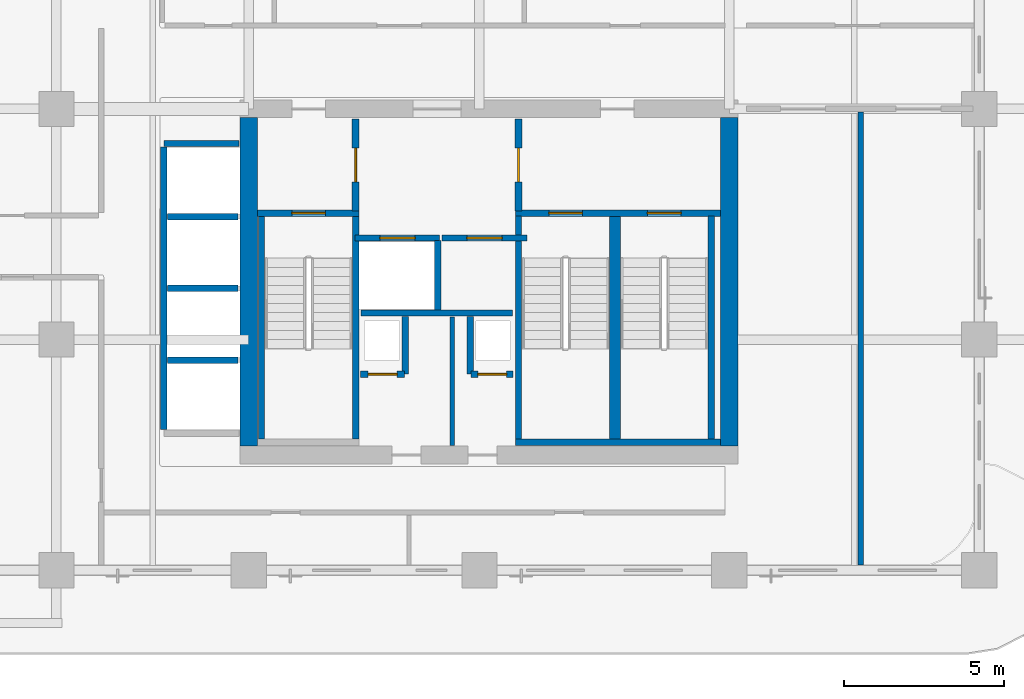
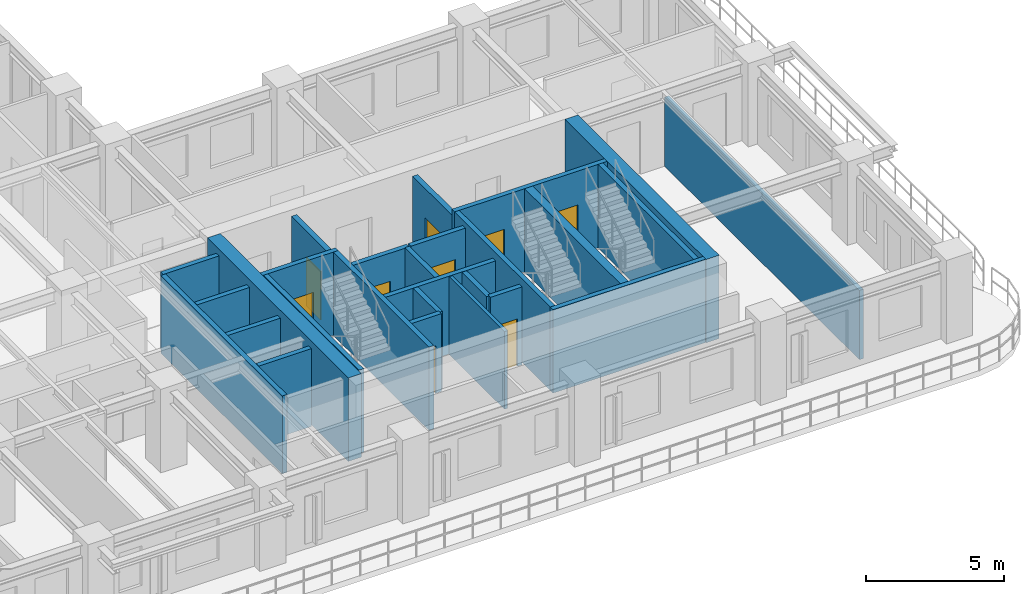
# One storey, part 14 of 22: 27 walls, 9 doors, 9 openings.
"""IFC4 building model written with IfcOpenShell, lengths in metres."""

from ifc_helpers import new_model, si_unit, derived_unit, direction, frame, frame_2d, origin, place, context, subcontext, project, spatial, rectangle, extrude, source, transform, mapped, material, layer, layer_set, type_object, type_shapes, element, fill, save


model = new_model("IFC4")

# Units and contexts
model_context = context("Model", 3, precision=1e-05, world=origin(), true_north=direction((0.0, 1.0)))
body_context = subcontext(model_context, "Body", "Model", "MODEL_VIEW")
ifc_project = project(units=[si_unit("LENGTHUNIT", "METRE"), si_unit("AREAUNIT", "SQUARE_METRE"), si_unit("VOLUMEUNIT", "CUBIC_METRE"), si_unit("PLANEANGLEUNIT", "RADIAN"), si_unit("MASSUNIT", "GRAM", prefix="KILO"), si_unit("THERMODYNAMICTEMPERATUREUNIT", "KELVIN"), si_unit("POWERUNIT", "WATT"), derived_unit("THERMALTRANSMITTANCEUNIT", [(si_unit("POWERUNIT", "WATT"), 1), (si_unit("AREAUNIT", "SQUARE_METRE"), -1), (si_unit("THERMODYNAMICTEMPERATUREUNIT", "KELVIN"), -1)])], contexts=[model_context])

# Site, building, storey
site_placement = place(None, origin())
site = spatial("IfcSite", under=ifc_project, at=site_placement, CompositionType="ELEMENT")
building_placement = place(site_placement, origin())
building = spatial("IfcBuilding", under=site, at=building_placement, Name="Zahravan Archway Hotel and Residences", CompositionType="ELEMENT")
storey_placement = place(building_placement, frame((0.0, 0.0, 99.0)))
storey = spatial("IfcBuildingStorey", under=building, at=storey_placement, Name="L24", CompositionType="ELEMENT", Elevation=99.0)

# Walls
ifc_material_1 = material(Name="Concrete C70/85", Category="concrete")
ifc_layer_1 = layer(ifc_material_1, 0.550048828125, Name="Concrete C70/85", Category="concrete")
ifc_layer_set_1 = layer_set([ifc_layer_1], Name="Concrete C70/85")
wall_type_1 = type_object("IfcWallType", Name="CW-CORE-550", PredefinedType="SHEAR", material=ifc_layer_set_1)
for number, where, z_axis, x_axis, name in (
    (1, (34.800048828125, 3.875, 0.0), (0.0, 0.0, 1.0), (0.0, 1.0, 0.0), "L24 Core A Shear W Wall 550 mm"),
    (2, (49.800048828125, 3.875, 0.0), (0.0, 0.0, 1.0), (0.0, 1.0, 0.0), "L24 Core A Shear E Wall 550 mm"),
):
    element("IfcWall", number, at=place(storey_placement, frame(where, z_axis=z_axis, x_axis=x_axis)), inside=storey, type_object=wall_type_1, Name=name, PredefinedType="SHEAR", context=body_context, shape_type="SweptSolid", body=[
        extrude(rectangle(XDim=10.25, YDim=0.550048828125, at=frame_2d((5.125, 0.0))), origin(), (0.0, 0.0, 1.0), 3.699951171875),
    ])

# Wall, opening, door
ifc_material_2 = material(Name="Fire-Rated Gypsum & Concrete Block", Category="concrete")
ifc_layer_2 = layer(ifc_material_2, 0.219970703125, Name="Fire-Rated Gypsum & Concrete Block", Category="concrete")
ifc_layer_set_2 = layer_set([ifc_layer_2], Name="Fire-Rated Gypsum & Concrete Block")
wall_type_2 = type_object("IfcWallType", Name="PW-COMP-220", PredefinedType="PARTITIONING", material=ifc_layer_set_2)
wall_1_placement = place(storey_placement, frame((38.139892578125, 11.219970703125, 0.0), z_axis=(0.0, 0.0, 1.0), x_axis=(0.0, 1.0, 0.0)))
wall_1 = element("IfcWall", 3, at=wall_1_placement, inside=storey, type_object=wall_type_2, Name="L24 Partition CA-LOBW", PredefinedType="PARTITIONING", context=body_context, shape_type="SweptSolid", body=[
    extrude(rectangle(XDim=2.860107421875, YDim=0.219970703125, at=frame_2d((1.43017578125, 0.0))), origin(), (0.0, 0.0, 1.0), 3.449951171875),
])
opening_1_placement = place(wall_1_placement, frame((0.905029296875, 0.0, 0.0)))
opening_1 = element("IfcOpeningElement", 4, at=opening_1_placement, cuts=wall_1, Name="Opening FD-L2", PredefinedType="OPENING", context=body_context, shape_type="SweptSolid", body=[
    extrude(rectangle(XDim=1.050048828125, YDim=2.14990234375, at=frame_2d((0.52490234375, 1.074951171875))), frame((0.0, 0.1201171875, 0.0), z_axis=(0.0, -1.0, 0.0), x_axis=(1.0, 0.0, 0.0)), (0.0, 0.0, 1.0), 0.239990234375),
])
ifc_material_3 = material(Name="Fire-Rated Painted Steel", Category="steel")
door_type_1 = type_object("IfcDoorType", Name="FD-LOBBY-1100", OperationType="NOTDEFINED", PredefinedType="DOOR", material=ifc_material_3)
shared_shape_1 = source(origin(), body_context, "Body", "SweptSolid", [
    extrude(rectangle(XDim=1.050048828125, YDim=2.14990234375, at=frame_2d((0.52490234375, 1.074951171875))), frame((0.0, 0.02490234375, 0.0), z_axis=(0.0, -1.0, 0.0), x_axis=(1.0, 0.0, 0.0)), (0.0, 0.0, 1.0), 0.050048828125),
])
type_shapes(door_type_1, [shared_shape_1])
door_1_placement = place(opening_1_placement, origin())
door_1 = element("IfcDoor", 5, at=door_1_placement, inside=storey, type_object=door_type_1, Name="L24 Core A West Stair to FSAE Lobby Door", OperationType="SINGLE_SWING_RIGHT", OverallHeight=2.14990234375, OverallWidth=1.050048828125, PredefinedType="DOOR", context=body_context, shape_type="MappedRepresentation", body=[
    mapped(shared_shape_1, transform((0.0, 0.0, 0.0), scale=1.0)),
])
fill(opening_1, door_1)

wall_2_placement = place(storey_placement, frame((43.219970703125, 11.219970703125, 0.0), z_axis=(0.0, 0.0, 1.0), x_axis=(0.0, 1.0, 0.0)))
wall_2 = element("IfcWall", 6, at=wall_2_placement, inside=storey, type_object=wall_type_2, Name="L24 Partition CA-LOBE", PredefinedType="PARTITIONING", context=body_context, shape_type="SweptSolid", body=[
    extrude(rectangle(XDim=2.860107421875, YDim=0.219970703125, at=frame_2d((1.43017578125, 0.0))), origin(), (0.0, 0.0, 1.0), 3.449951171875),
])
opening_2_placement = place(wall_2_placement, frame((0.905029296875, 0.0, 0.0)))
opening_2 = element("IfcOpeningElement", 7, at=opening_2_placement, cuts=wall_2, Name="Opening FD-L2", PredefinedType="OPENING", context=body_context, shape_type="SweptSolid", body=[
    extrude(rectangle(XDim=1.050048828125, YDim=2.14990234375, at=frame_2d((0.52490234375, 1.074951171875))), frame((0.0, 0.1201171875, 0.0), z_axis=(0.0, -1.0, 0.0), x_axis=(1.0, 0.0, 0.0)), (0.0, 0.0, 1.0), 0.239990234375),
])
door_2_placement = place(opening_2_placement, origin())
door_2 = element("IfcDoor", 8, at=door_2_placement, inside=storey, type_object=door_type_1, Name="L24 Core A East Stair to FSAE Lobby Door", OperationType="SINGLE_SWING_LEFT", OverallHeight=2.14990234375, OverallWidth=1.050048828125, PredefinedType="DOOR", context=body_context, shape_type="MappedRepresentation", body=[
    mapped(shared_shape_1, transform((0.0, 0.0, 0.0), scale=1.0)),
])
fill(opening_2, door_2)

# Walls
ifc_layer_3 = layer(ifc_material_2, 0.199951171875, Name="Fire-Rated Gypsum & Concrete Block", Category="concrete")
ifc_layer_set_3 = layer_set([ifc_layer_3], Name="Fire-Rated Gypsum & Concrete Block")
wall_type_3 = type_object("IfcWallType", Name="PW-SHAFT-200", PredefinedType="PARTITIONING", material=ifc_layer_set_3)
wall_3_placement = place(storey_placement, frame((38.300048828125, 8.030029296875, 0.0), z_axis=(0.0, 0.0, 1.0), x_axis=(1.0, 0.0, 0.0)))
element("IfcWall", 9, at=wall_3_placement, inside=storey, type_object=wall_type_3, Name="L24 Partition CA-FLS", PredefinedType="PARTITIONING", context=body_context, shape_type="SweptSolid", body=[
    extrude(rectangle(XDim=4.739990234375, YDim=0.199951171875, at=frame_2d((2.3701171875, 0.0))), origin(), (0.0, 0.0, 1.0), 3.449951171875),
])
wall_4_placement = place(storey_placement, frame((40.699951171875, 8.1201171875, 0.0), z_axis=(0.0, 0.0, 1.0), x_axis=(0.0, 1.0, 0.0)))
element("IfcWall", 10, at=wall_4_placement, inside=storey, type_object=wall_type_3, Name="L24 Partition CA-FLM", PredefinedType="PARTITIONING", context=body_context, shape_type="SweptSolid", body=[
    extrude(rectangle(XDim=2.179931640625, YDim=0.199951171875, at=frame_2d((1.08984375, 0.0))), origin(), (0.0, 0.0, 1.0), 3.449951171875),
])

# Wall, opening, door
wall_5_placement = place(storey_placement, frame((38.2900390625, 6.1201171875, 0.0), z_axis=(0.0, 0.0, 1.0), x_axis=(1.0, 0.0, 0.0)))
wall_5 = element("IfcWall", 11, at=wall_5_placement, inside=storey, type_object=wall_type_3, Name="L24 Partition CA-SMKS", PredefinedType="PARTITIONING", context=body_context, shape_type="SweptSolid", body=[
    extrude(rectangle(XDim=1.3798828125, YDim=0.199951171875, at=frame_2d((0.68994140625, 0.0))), origin(), (0.0, 0.0, 1.0), 3.449951171875),
])
opening_3_placement = place(wall_5_placement, frame((0.239990234375, 0.0, 0.0)))
opening_3 = element("IfcOpeningElement", 12, at=opening_3_placement, cuts=wall_5, Name="Opening FD-R1", PredefinedType="OPENING", context=body_context, shape_type="SweptSolid", body=[
    extrude(rectangle(XDim=0.89990234375, YDim=2.10009765625, at=frame_2d((0.449951171875, 1.050048828125))), frame((0.0, 0.10986328125, 0.0), z_axis=(0.0, -1.0, 0.0), x_axis=(1.0, 0.0, 0.0)), (0.0, 0.0, 1.0), 0.219970703125),
])
door_type_2 = type_object("IfcDoorType", Name="FD-RISER-900", OperationType="NOTDEFINED", PredefinedType="DOOR", material=ifc_material_3)
shared_shape_2 = source(origin(), body_context, "Body", "SweptSolid", [
    extrude(rectangle(XDim=0.89990234375, YDim=2.10009765625, at=frame_2d((0.449951171875, 1.050048828125))), frame((0.0, 0.02490234375, 0.0), z_axis=(0.0, -1.0, 0.0), x_axis=(1.0, 0.0, 0.0)), (0.0, 0.0, 1.0), 0.050048828125),
])
type_shapes(door_type_2, [shared_shape_2])
door_3_placement = place(opening_3_placement, origin())
door_3 = element("IfcDoor", 13, at=door_3_placement, inside=storey, type_object=door_type_2, Name="L24 Smoke Riser Access Door", OperationType="SINGLE_SWING_RIGHT", OverallHeight=2.10009765625, OverallWidth=0.89990234375, PredefinedType="DOOR", context=body_context, shape_type="MappedRepresentation", body=[
    mapped(shared_shape_2, transform((0.0, 0.0, 0.0), scale=1.0)),
])
fill(opening_3, door_3)

# Wall
wall_6_placement = place(storey_placement, frame((39.679931640625, 6.1298828125, 0.0), z_axis=(0.0, 0.0, 1.0), x_axis=(0.0, 1.0, 0.0)))
element("IfcWall", 14, at=wall_6_placement, inside=storey, type_object=wall_type_3, Name="L24 Partition CA-SMKE", PredefinedType="PARTITIONING", context=body_context, shape_type="SweptSolid", body=[
    extrude(rectangle(XDim=1.7900390625, YDim=0.199951171875, at=frame_2d((0.89501953125, 0.0))), origin(), (0.0, 0.0, 1.0), 3.449951171875),
])

# Wall, opening, door
wall_7_placement = place(storey_placement, frame((41.72998046875, 6.1201171875, 0.0), z_axis=(0.0, 0.0, 1.0), x_axis=(1.0, 0.0, 0.0)))
wall_7 = element("IfcWall", 15, at=wall_7_placement, inside=storey, type_object=wall_type_3, Name="L24 Partition CA-MEPS", PredefinedType="PARTITIONING", context=body_context, shape_type="SweptSolid", body=[
    extrude(rectangle(XDim=1.320068359375, YDim=0.199951171875, at=frame_2d((0.66015625, 0.0))), origin(), (0.0, 0.0, 1.0), 3.449951171875),
])
opening_4_placement = place(wall_7_placement, frame((0.219970703125, 0.0, 0.0)))
opening_4 = element("IfcOpeningElement", 16, at=opening_4_placement, cuts=wall_7, Name="Opening FD-R1", PredefinedType="OPENING", context=body_context, shape_type="SweptSolid", body=[
    extrude(rectangle(XDim=0.89990234375, YDim=2.10009765625, at=frame_2d((0.449951171875, 1.050048828125))), frame((0.0, 0.10986328125, 0.0), z_axis=(0.0, -1.0, 0.0), x_axis=(1.0, 0.0, 0.0)), (0.0, 0.0, 1.0), 0.219970703125),
])
door_4_placement = place(opening_4_placement, origin())
door_4 = element("IfcDoor", 17, at=door_4_placement, inside=storey, type_object=door_type_2, Name="L24 MEP Riser Access Door", OperationType="SINGLE_SWING_LEFT", OverallHeight=2.10009765625, OverallWidth=0.89990234375, PredefinedType="DOOR", context=body_context, shape_type="MappedRepresentation", body=[
    mapped(shared_shape_2, transform((0.0, 0.0, 0.0), scale=1.0)),
])
fill(opening_4, door_4)

# Walls
wall_8_placement = place(storey_placement, frame((41.719970703125, 6.1298828125, 0.0), z_axis=(0.0, 0.0, 1.0), x_axis=(0.0, 1.0, 0.0)))
element("IfcWall", 18, at=wall_8_placement, inside=storey, type_object=wall_type_3, Name="L24 Partition CA-MEPW", PredefinedType="PARTITIONING", context=body_context, shape_type="SweptSolid", body=[
    extrude(rectangle(XDim=1.7900390625, YDim=0.199951171875, at=frame_2d((0.89501953125, 0.0))), origin(), (0.0, 0.0, 1.0), 3.449951171875),
])
wall_9_placement = place(storey_placement, frame((32.159912109375, 13.320068359375, 0.0), z_axis=(0.0, 0.0, 1.0), x_axis=(1.0, 0.0, 0.0)))
element("IfcWall", 19, at=wall_9_placement, inside=storey, type_object=wall_type_3, Name="L24 Partition B3-N", PredefinedType="PARTITIONING", context=body_context, shape_type="SweptSolid", body=[
    extrude(rectangle(XDim=2.335205078125, YDim=0.199951171875, at=frame_2d((1.16748046875, 0.0))), origin(), (0.0, 0.0, 1.0), 3.449951171875),
])
wall_10_placement = place(storey_placement, frame((32.14990234375, 4.389892578125, 0.0), z_axis=(0.0, 0.0, 1.0), x_axis=(0.0, 1.0, 0.0)))
element("IfcWall", 20, at=wall_10_placement, inside=storey, type_object=wall_type_3, Name="L24 Partition B3-W", PredefinedType="PARTITIONING", context=body_context, shape_type="SweptSolid", body=[
    extrude(rectangle(XDim=8.820068359375, YDim=0.199951171875, at=frame_2d((4.41015625, 0.0))), origin(), (0.0, 0.0, 1.0), 3.449951171875),
])
for number, where, z_axis, x_axis, name in (
    (21, (32.260009765625, 6.56005859375, 0.0), (0.0, 0.0, 1.0), (1.0, 0.0, 0.0), "L24 Partition B3-D"),
    (22, (32.260009765625, 8.800048828125, 0.0), (0.0, 0.0, 1.0), (1.0, 0.0, 0.0), "L24 Partition B3-D"),
    (23, (32.260009765625, 11.0400390625, 0.0), (0.0, 0.0, 1.0), (1.0, 0.0, 0.0), "L24 Partition B3-D"),
):
    element("IfcWall", number, at=place(storey_placement, frame(where, z_axis=z_axis, x_axis=x_axis)), inside=storey, type_object=wall_type_3, Name=name, PredefinedType="PARTITIONING", context=body_context, shape_type="SweptSolid", body=[
        extrude(rectangle(XDim=2.205078125, YDim=0.199951171875, at=frame_2d((1.1025390625, 0.0))), origin(), (0.0, 0.0, 1.0), 3.449951171875),
    ])

# Wall, opening, door
wall_11_placement = place(storey_placement, frame((38.1201171875, 10.3701171875, 0.0), z_axis=(0.0, 0.0, 1.0), x_axis=(1.0, 0.0, 0.0)))
wall_11 = element("IfcWall", 24, at=wall_11_placement, inside=storey, type_object=wall_type_3, Name="L24 Lift FL-1 Front Wall", PredefinedType="PARTITIONING", context=body_context, shape_type="SweptSolid", body=[
    extrude(rectangle(XDim=2.639892578125, YDim=0.199951171875, at=frame_2d((1.31982421875, 0.0))), origin(), (0.0, 0.0, 1.0), 3.449951171875),
])
opening_5_placement = place(wall_11_placement, frame((0.77001953125, 0.0, 0.0)))
opening_5 = element("IfcOpeningElement", 25, at=opening_5_placement, cuts=wall_11, Name="Opening LD", PredefinedType="OPENING", context=body_context, shape_type="SweptSolid", body=[
    extrude(rectangle(XDim=1.10009765625, YDim=2.199951171875, at=frame_2d((0.550048828125, 1.10009765625))), frame((0.0, 0.10986328125, 0.0), z_axis=(0.0, -1.0, 0.0), x_axis=(1.0, 0.0, 0.0)), (0.0, 0.0, 1.0), 0.219970703125),
])
ifc_material_4 = material(Name="Brushed Stainless Steel", Category="steel")
door_type_3 = type_object("IfcDoorType", Name="DR-LIFT-LD", OperationType="SLIDING_TO_LEFT", PredefinedType="DOOR", material=ifc_material_4)
shared_shape_3 = source(origin(), body_context, "Body", "SweptSolid", [
    extrude(rectangle(XDim=1.10009765625, YDim=2.199951171875, at=frame_2d((0.550048828125, 1.10009765625))), frame((0.0, 0.02490234375, 0.0), z_axis=(0.0, -1.0, 0.0), x_axis=(1.0, 0.0, 0.0)), (0.0, 0.0, 1.0), 0.050048828125),
])
type_shapes(door_type_3, [shared_shape_3])
door_5_placement = place(opening_5_placement, origin())
door_5 = element("IfcDoor", 26, at=door_5_placement, inside=storey, type_object=door_type_3, Name="L24 Lift FL-1 Sliding Landing Door", OperationType="SLIDING_TO_LEFT", OverallHeight=2.199951171875, OverallWidth=1.10009765625, PredefinedType="DOOR", context=body_context, shape_type="MappedRepresentation", body=[
    mapped(shared_shape_3, transform((0.0, 0.0, 0.0), scale=1.0)),
])
fill(opening_5, door_5)

wall_12_placement = place(storey_placement, frame((40.840087890625, 10.3701171875, 0.0), z_axis=(0.0, 0.0, 1.0), x_axis=(1.0, 0.0, 0.0)))
wall_12 = element("IfcWall", 27, at=wall_12_placement, inside=storey, type_object=wall_type_3, Name="L24 Lift FL-2 Front Wall", PredefinedType="PARTITIONING", context=body_context, shape_type="SweptSolid", body=[
    extrude(rectangle(XDim=2.639892578125, YDim=0.199951171875, at=frame_2d((1.31982421875, 0.0))), origin(), (0.0, 0.0, 1.0), 3.449951171875),
])
opening_6_placement = place(wall_12_placement, frame((0.77001953125, 0.0, 0.0)))
opening_6 = element("IfcOpeningElement", 28, at=opening_6_placement, cuts=wall_12, Name="Opening LD", PredefinedType="OPENING", context=body_context, shape_type="SweptSolid", body=[
    extrude(rectangle(XDim=1.10009765625, YDim=2.199951171875, at=frame_2d((0.550048828125, 1.10009765625))), frame((0.0, 0.10986328125, 0.0), z_axis=(0.0, -1.0, 0.0), x_axis=(1.0, 0.0, 0.0)), (0.0, 0.0, 1.0), 0.219970703125),
])
door_6_placement = place(opening_6_placement, origin())
door_6 = element("IfcDoor", 29, at=door_6_placement, inside=storey, type_object=door_type_3, Name="L24 Lift FL-2 Sliding Landing Door", OperationType="SLIDING_TO_LEFT", OverallHeight=2.199951171875, OverallWidth=1.10009765625, PredefinedType="DOOR", context=body_context, shape_type="MappedRepresentation", body=[
    mapped(shared_shape_3, transform((0.0, 0.0, 0.0), scale=1.0)),
])
fill(opening_6, door_6)

# Walls
ifc_material_5 = material(Name="Acoustic Stud Partition")
ifc_layer_4 = layer(ifc_material_5, 0.169921875, Name="Acoustic Stud Partition")
ifc_layer_set_4 = layer_set([ifc_layer_4], Name="Acoustic Stud Partition")
wall_type_4 = type_object("IfcWallType", Name="PW-UNIT-170", PredefinedType="PARTITIONING", material=ifc_layer_set_4)
wall_13_placement = place(storey_placement, frame((53.89990234375, 0.16796875, 0.0), z_axis=(0.0, 0.0, 1.0), x_axis=(0.0, 1.0, 0.0)))
element("IfcWall", 30, at=wall_13_placement, inside=storey, type_object=wall_type_4, Name="L24 Partition EA-EV", PredefinedType="PARTITIONING", context=body_context, shape_type="SweptSolid", body=[
    extrude(rectangle(XDim=14.14208984375, YDim=0.169921875, at=frame_2d((7.071044921875, 0.0))), origin(), (0.0, 0.0, 1.0), 3.074951171875),
])
ifc_material_6 = material(Name="Moisture-Resistant Blockwork", Category="masonry")
ifc_layer_5 = layer(ifc_material_6, 0.139892578125, Name="Moisture-Resistant Blockwork", Category="masonry")
ifc_layer_set_5 = layer_set([ifc_layer_5], Name="Moisture-Resistant Blockwork")
wall_type_5 = type_object("IfcWallType", Name="PW-WET-140", PredefinedType="PARTITIONING", material=ifc_layer_set_5)
wall_14_placement = place(storey_placement, frame((41.14990234375, 3.89501953125, 0.0), z_axis=(0.0, 0.0, 1.0), x_axis=(0.0, 1.0, 0.0)))
element("IfcWall", 31, at=wall_14_placement, inside=storey, type_object=wall_type_5, Name="L24 Partition CA-CV2V", PredefinedType="PARTITIONING", context=body_context, shape_type="SweptSolid", body=[
    extrude(rectangle(XDim=4.014892578125, YDim=0.139892578125, at=frame_2d((2.00732421875, 0.0))), origin(), (0.0, 0.0, 1.0), 3.449951171875),
])
ifc_material_7 = material(Name="Concrete C50/60", Category="concrete")
ifc_layer_6 = layer(ifc_material_7, 0.199951171875, Name="Concrete C50/60", Category="concrete")
ifc_layer_set_6 = layer_set([ifc_layer_6], Name="Concrete C50/60")
wall_type_6 = type_object("IfcWallType", Name="SW-STAIR-200", PredefinedType="SHEAR", material=ifc_layer_set_6)
for number, where, z_axis, x_axis, name in (
    (32, (35.199951171875, 4.10009765625, 0.0), (0.0, 0.0, 1.0), (0.0, 1.0, 0.0), "L24 Stairwell RC Wall CA-SA1W"),
    (33, (38.139892578125, 4.10009765625, 0.0), (0.0, 0.0, 1.0), (0.0, 1.0, 0.0), "L24 Stairwell RC Wall CA-SA1E"),
):
    element("IfcWall", number, at=place(storey_placement, frame(where, z_axis=z_axis, x_axis=x_axis)), inside=storey, type_object=wall_type_6, Name=name, PredefinedType="SHEAR", context=body_context, shape_type="SweptSolid", body=[
        extrude(rectangle(XDim=6.949951171875, YDim=0.199951171875, at=frame_2d((3.47509765625, 0.0))), origin(), (0.0, 0.0, 1.0), 3.699951171875),
    ])

# Wall, opening, door
wall_15_placement = place(storey_placement, frame((35.074951171875, 11.14990234375, 0.0), z_axis=(0.0, 0.0, 1.0), x_axis=(1.0, 0.0, 0.0)))
wall_15 = element("IfcWall", 34, at=wall_15_placement, inside=storey, type_object=wall_type_6, Name="L24 Stairwell RC Wall CA-SA1N", PredefinedType="SHEAR", context=body_context, shape_type="SweptSolid", body=[
    extrude(rectangle(XDim=3.1650390625, YDim=0.199951171875, at=frame_2d((1.58251953125, 0.0))), origin(), (0.0, 0.0, 1.0), 3.699951171875),
])
opening_7_placement = place(wall_15_placement, frame((1.070068359375, 0.0, 0.0)))
opening_7 = element("IfcOpeningElement", 35, at=opening_7_placement, cuts=wall_15, Name="Opening FD-S1", PredefinedType="OPENING", context=body_context, shape_type="SweptSolid", body=[
    extrude(rectangle(XDim=1.050048828125, YDim=2.199951171875, at=frame_2d((0.52490234375, 1.10009765625))), frame((0.0, 0.10986328125, 0.0), z_axis=(0.0, -1.0, 0.0), x_axis=(1.0, 0.0, 0.0)), (0.0, 0.0, 1.0), 0.219970703125),
])
door_type_4 = type_object("IfcDoorType", Name="FD-STAIR-1100", OperationType="NOTDEFINED", PredefinedType="DOOR", material=ifc_material_3)
shared_shape_4 = source(origin(), body_context, "Body", "SweptSolid", [
    extrude(rectangle(XDim=1.050048828125, YDim=2.199951171875, at=frame_2d((0.52490234375, 1.10009765625))), frame((0.0, 0.02490234375, 0.0), z_axis=(0.0, -1.0, 0.0), x_axis=(1.0, 0.0, 0.0)), (0.0, 0.0, 1.0), 0.050048828125),
])
type_shapes(door_type_4, [shared_shape_4])
door_7_placement = place(opening_7_placement, origin())
door_7 = element("IfcDoor", 36, at=door_7_placement, inside=storey, type_object=door_type_4, Name="L24 Stair ST-A1 Door", OperationType="SINGLE_SWING_LEFT", OverallHeight=2.199951171875, OverallWidth=1.050048828125, PredefinedType="DOOR", context=body_context, shape_type="MappedRepresentation", body=[
    mapped(shared_shape_4, transform((0.0, 0.0, 0.0), scale=1.0)),
])
fill(opening_7, door_7)

# Walls
wall_16_placement = place(storey_placement, frame((43.1201171875, 4.0, 0.0), z_axis=(0.0, 0.0, 1.0), x_axis=(1.0, 0.0, 0.0)))
element("IfcWall", 37, at=wall_16_placement, inside=storey, type_object=wall_type_6, Name="L24 Stairwell RC Wall CA-SA23S", PredefinedType="SHEAR", context=body_context, shape_type="SweptSolid", body=[
    extrude(rectangle(XDim=6.40478515625, YDim=0.199951171875, at=frame_2d((3.202392578125, 0.0))), origin(), (0.0, 0.0, 1.0), 3.699951171875),
])
for number, where, z_axis, x_axis, name in (
    (38, (43.219970703125, 4.10009765625, 0.0), (0.0, 0.0, 1.0), (0.0, 1.0, 0.0), "L24 Stairwell RC Wall CA-SA2W"),
    (39, (49.239990234375, 4.10009765625, 0.0), (0.0, 0.0, 1.0), (0.0, 1.0, 0.0), "L24 Stairwell RC Wall CA-SA3E"),
):
    element("IfcWall", number, at=place(storey_placement, frame(where, z_axis=z_axis, x_axis=x_axis)), inside=storey, type_object=wall_type_6, Name=name, PredefinedType="SHEAR", context=body_context, shape_type="SweptSolid", body=[
        extrude(rectangle(XDim=6.949951171875, YDim=0.199951171875, at=frame_2d((3.47509765625, 0.0))), origin(), (0.0, 0.0, 1.0), 3.699951171875),
    ])

# Wall, openings, doors
wall_17_placement = place(storey_placement, frame((43.1201171875, 11.14990234375, 0.0), z_axis=(0.0, 0.0, 1.0), x_axis=(1.0, 0.0, 0.0)))
wall_17 = element("IfcWall", 40, at=wall_17_placement, inside=storey, type_object=wall_type_6, Name="L24 Stairwell RC Wall CA-SA23N", PredefinedType="SHEAR", context=body_context, shape_type="SweptSolid", body=[
    extrude(rectangle(XDim=6.40478515625, YDim=0.199951171875, at=frame_2d((3.202392578125, 0.0))), origin(), (0.0, 0.0, 1.0), 3.699951171875),
])
opening_8_placement = place(wall_17_placement, frame((1.044921875, 0.0, 0.0)))
opening_8 = element("IfcOpeningElement", 41, at=opening_8_placement, cuts=wall_17, Name="Opening FD-S1", PredefinedType="OPENING", context=body_context, shape_type="SweptSolid", body=[
    extrude(rectangle(XDim=1.050048828125, YDim=2.199951171875, at=frame_2d((0.52490234375, 1.10009765625))), frame((0.0, 0.10986328125, 0.0), z_axis=(0.0, -1.0, 0.0), x_axis=(1.0, 0.0, 0.0)), (0.0, 0.0, 1.0), 0.219970703125),
])
opening_9_placement = place(wall_17_placement, frame((4.125, 0.0, 0.0)))
opening_9 = element("IfcOpeningElement", 42, at=opening_9_placement, cuts=wall_17, Name="Opening FD-S1", PredefinedType="OPENING", context=body_context, shape_type="SweptSolid", body=[
    extrude(rectangle(XDim=1.050048828125, YDim=2.199951171875, at=frame_2d((0.52490234375, 1.10009765625))), frame((0.0, 0.10986328125, 0.0), z_axis=(0.0, -1.0, 0.0), x_axis=(1.0, 0.0, 0.0)), (0.0, 0.0, 1.0), 0.219970703125),
])
door_8_placement = place(opening_8_placement, origin())
door_8 = element("IfcDoor", 43, at=door_8_placement, inside=storey, type_object=door_type_4, Name="L24 Stair ST-A2 Door", OperationType="SINGLE_SWING_RIGHT", OverallHeight=2.199951171875, OverallWidth=1.050048828125, PredefinedType="DOOR", context=body_context, shape_type="MappedRepresentation", body=[
    mapped(shared_shape_4, transform((0.0, 0.0, 0.0), scale=1.0)),
])
fill(opening_8, door_8)
door_9_placement = place(opening_9_placement, origin())
door_9 = element("IfcDoor", 44, at=door_9_placement, inside=storey, type_object=door_type_4, Name="L24 Stair ST-A3 Door", OperationType="SINGLE_SWING_LEFT", OverallHeight=2.199951171875, OverallWidth=1.050048828125, PredefinedType="DOOR", context=body_context, shape_type="MappedRepresentation", body=[
    mapped(shared_shape_4, transform((0.0, 0.0, 0.0), scale=1.0)),
])
fill(opening_9, door_9)

# Wall
ifc_layer_7 = layer(ifc_material_7, 0.340087890625, Name="Concrete C50/60", Category="concrete")
ifc_layer_set_7 = layer_set([ifc_layer_7], Name="Concrete C50/60")
wall_type_7 = type_object("IfcWallType", Name="SW-STAIR-340", PredefinedType="SHEAR", material=ifc_layer_set_7)
wall_18_placement = place(storey_placement, frame((46.22998046875, 4.10009765625, 0.0), z_axis=(0.0, 0.0, 1.0), x_axis=(0.0, 1.0, 0.0)))
element("IfcWall", 45, at=wall_18_placement, inside=storey, type_object=wall_type_7, Name="L24 Stairwell RC Wall CA-SA23M", PredefinedType="SHEAR", context=body_context, shape_type="SweptSolid", body=[
    extrude(rectangle(XDim=6.949951171875, YDim=0.340087890625, at=frame_2d((3.47509765625, 0.0))), origin(), (0.0, 0.0, 1.0), 3.699951171875),
])

save(model, "model.ifc")
